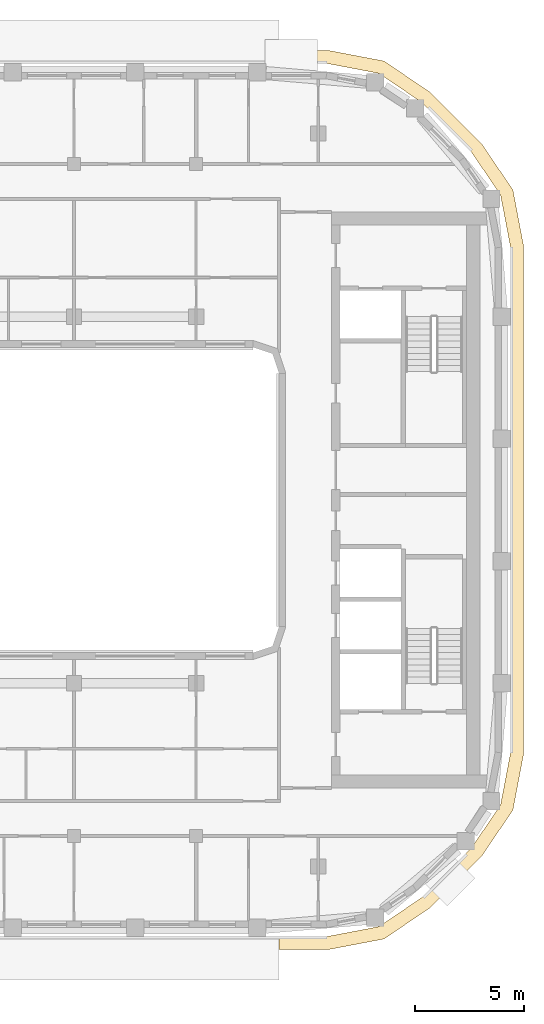
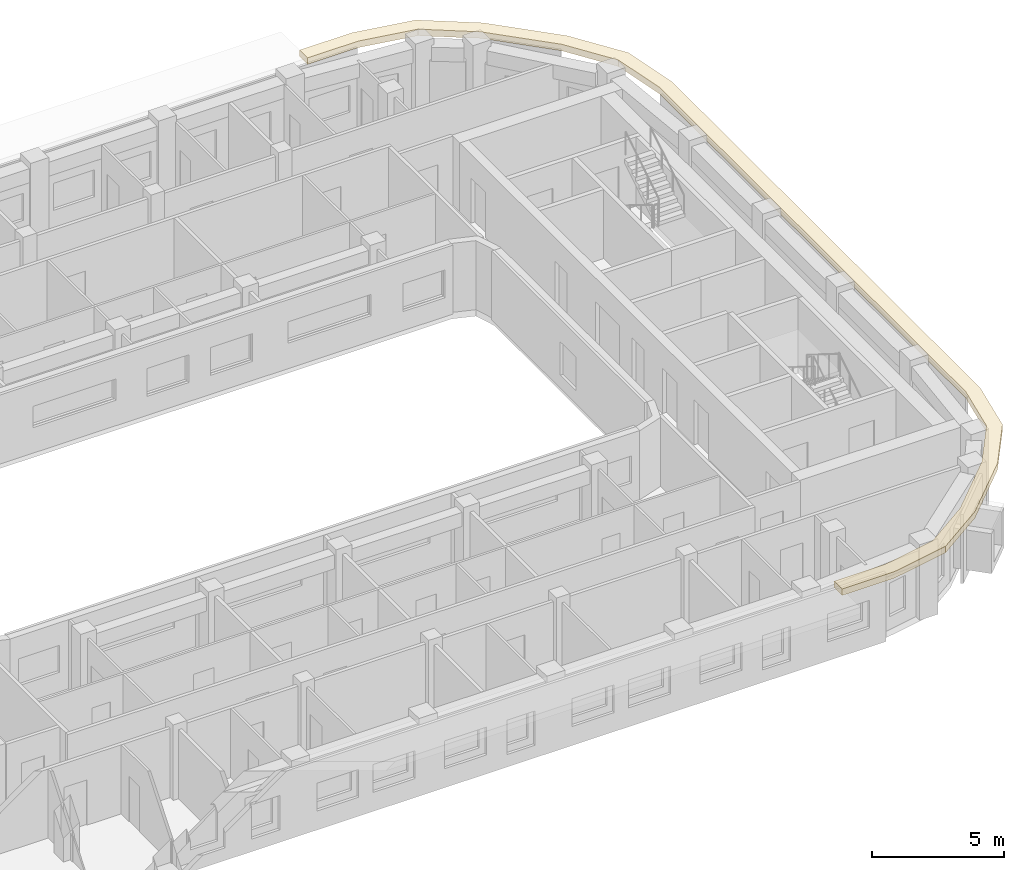
# One storey, part 14 of 16: 1 covering.
"""IFC4 building model written with IfcOpenShell, lengths in metres."""

from ifc_helpers import new_model, si_unit, direction, frame, origin, place, context, subcontext, project, spatial, polyline, outline, extrude, material, layer, layer_set, type_object, element, save


model = new_model("IFC4")

# Units and contexts
model_context = context("Model", 3, precision=1e-05, world=origin(), true_north=direction((0.0, 1.0)))
body_context = subcontext(model_context, "Body", "Model", "MODEL_VIEW")
ifc_project = project(units=[si_unit("LENGTHUNIT", "METRE"), si_unit("AREAUNIT", "SQUARE_METRE"), si_unit("VOLUMEUNIT", "CUBIC_METRE"), si_unit("PLANEANGLEUNIT", "RADIAN"), si_unit("MASSUNIT", "GRAM", prefix="KILO")], contexts=[model_context])

# Site, building, storey
site_placement = place(None, origin())
site = spatial("IfcSite", under=ifc_project, at=site_placement, CompositionType="ELEMENT")
building_placement = place(site_placement, origin())
building = spatial("IfcBuilding", under=site, at=building_placement, Name="Kiln Ring Residences", CompositionType="ELEMENT")
storey_placement = place(building_placement, frame((0.0, 0.0, 255.699951171875)))
storey = spatial("IfcBuildingStorey", under=building, at=storey_placement, Name="L66", CompositionType="ELEMENT", Elevation=255.699951171875)

# Covering
ifc_material = material(Name="Black powder-coated steel", Category="steel")
ifc_layer = layer(ifc_material, 0.300048828125)
ifc_layer_set = layer_set([ifc_layer], Name="SUNSHADE FIN 600")
covering_type = type_object("IfcCoveringType", Name="SUNSHADE FIN 600", PredefinedType="CLADDING", material=ifc_layer_set)
covering_placement = place(storey_placement, frame((0.0, 0.0, 3.199951171875)))
element("IfcCovering", 1, at=covering_placement, inside=storey, type_object=covering_type, Name="SUNSHADE FIN L66", PredefinedType="CLADDING", context=body_context, shape_type="SweptSolid", body=[
    extrude(outline(polyline([(17.29443359375, 20.60009765625), (15.0, 20.60009765625), (15.0, 20.0), (17.23779296875, 20.0), (19.58056640625, 19.552978515625), (21.55322265625, 18.21240234375), (23.8125, 15.953125), (25.153076171875, 13.980712890625), (25.60009765625, 11.6376953125), (25.60009765625, -11.6376953125), (25.153076171875, -13.980712890625), (23.8125, -15.953125), (21.55322265625, -18.21240234375), (19.58056640625, -19.552978515625), (17.23779296875, -20.0), (15.0, -20.0), (15.0, -20.60009765625), (17.29443359375, -20.60009765625), (19.815185546875, -20.119140625), (21.937255859375, -18.677001953125), (24.27685546875, -16.33740234375), (25.71923828125, -14.215087890625), (26.199951171875, -11.694580078125), (26.199951171875, 11.694580078125), (25.71923828125, 14.215087890625), (24.27685546875, 16.33740234375), (21.937255859375, 18.677001953125), (19.815185546875, 20.119140625), (17.29443359375, 20.60009765625)])), origin(), (0.0, 0.0, 1.0), 0.300048828125),
])

save(model, "model.ifc")
